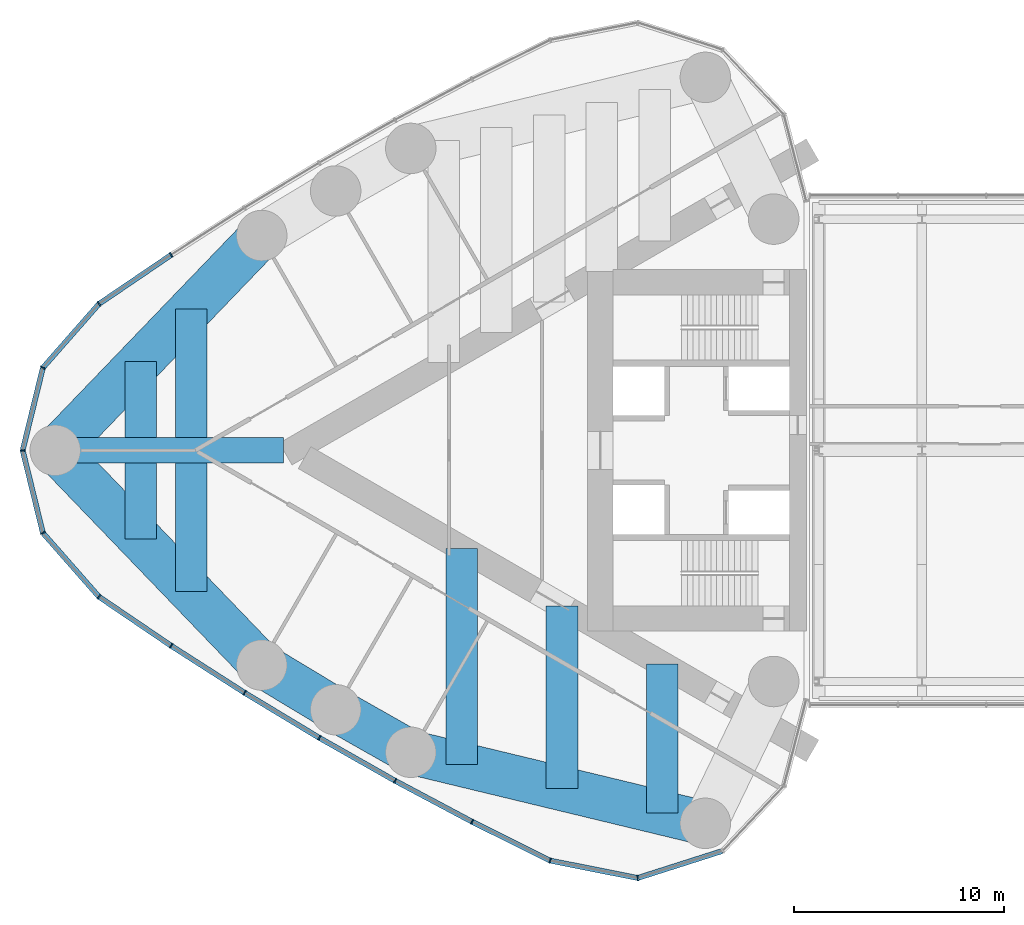
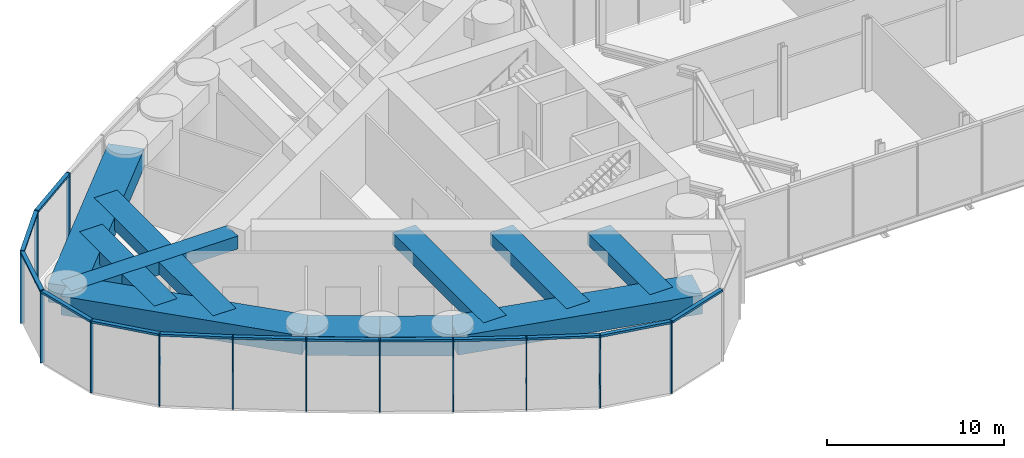
# One storey, part 3 of 19: 26 members, 13 beams, 1 element without a shape of its own.
"""IFC4 building model written with IfcOpenShell, lengths in metres."""

from ifc_helpers import new_model, si_unit, direction, frame, origin, origin_2d, place, context, subcontext, project, spatial, rectangle, extrude, material, material_profile, profile_set, type_object, element, aggregate, save


model = new_model("IFC4")

# Units and contexts
model_context = context("Model", 3, precision=1e-05, world=origin(), true_north=direction((0.0, 1.0)))
body_context = subcontext(model_context, "Body", "Model", "MODEL_VIEW")
ifc_project = project(units=[si_unit("LENGTHUNIT", "METRE"), si_unit("AREAUNIT", "SQUARE_METRE"), si_unit("VOLUMEUNIT", "CUBIC_METRE"), si_unit("PLANEANGLEUNIT", "RADIAN"), si_unit("MASSUNIT", "GRAM", prefix="KILO")], contexts=[model_context])

# Site, building, storey
site_placement = place(None, origin())
site = spatial("IfcSite", under=ifc_project, at=site_placement, CompositionType="ELEMENT")
building_placement = place(site_placement, origin())
building = spatial("IfcBuilding", under=site, at=building_placement, Name="Lancet Gate Hotel", CompositionType="ELEMENT")
storey_placement = place(building_placement, frame((0.0, 0.0, 263.300048828125)))
storey = spatial("IfcBuildingStorey", under=building, at=storey_placement, Name="L69", CompositionType="ELEMENT", Elevation=263.300048828125)

# Curtain wall, members
ifc_material_1 = material(Name="Aluminium curtain wall", Category="aluminium")
curtain_wall_type = type_object("IfcCurtainWallType", Name="Lantern crown glazing", PredefinedType="USERDEFINED", material=ifc_material_1)
curtain_wall_placement = place(storey_placement, origin())
curtain_wall = element("IfcCurtainWall", 1, at=curtain_wall_placement, inside=storey, type_object=curtain_wall_type, Name="T1 L69 curtain wall 1", ObjectType="LANTERN GLAZING", PredefinedType="USERDEFINED")
ifc_material_2 = material(Name="Aluminium mullion", Category="aluminium")
ifc_material_profile_1 = material_profile(ifc_material_2, rectangle(XDim=0.06494140625, YDim=0.25, at=origin_2d()), Name="MULLION 65x250")
ifc_profile_set_1 = profile_set([ifc_material_profile_1], Name="Aluminium mullion")
member_type_1 = type_object("IfcMemberType", Name="Aluminium mullion 65x250", PredefinedType="MULLION", material=ifc_profile_set_1)
member_1_placement = place(storey_placement, frame((-57.72021484375, 9.298095703125, 0.0), z_axis=(0.0, 0.0, 1.0), x_axis=(-0.834827178542, -0.550512108829, 0.0)))
member_1 = element("IfcMember", 2, at=member_1_placement, type_object=member_type_1, Name="T1 L69 curtain wall 1 mullion 10", PredefinedType="MULLION", context=body_context, shape_type="SweptSolid", body=[
    extrude(rectangle(XDim=0.06494140625, YDim=0.25, at=origin_2d()), origin(), (0.0, 0.0, 1.0), 5.0),
])
member_2_placement = place(storey_placement, frame((-61.15283203125, 6.967529296875, 0.0), z_axis=(0.0, 0.0, 1.0), x_axis=(-0.750715604757, -0.660625522345, 0.0)))
member_2 = element("IfcMember", 3, at=member_2_placement, type_object=member_type_1, Name="T1 L69 curtain wall 1 mullion 11", PredefinedType="MULLION", context=body_context, shape_type="SweptSolid", body=[
    extrude(rectangle(XDim=0.06494140625, YDim=0.25, at=origin_2d()), origin(), (0.0, 0.0, 1.0), 5.0),
])
member_3_placement = place(storey_placement, frame((-63.822021484375, 3.928466796875, 0.0), z_axis=(0.0, 0.0, 1.0), x_axis=(-0.46217799743, -0.886787177789, 0.0)))
member_3 = element("IfcMember", 4, at=member_3_placement, type_object=member_type_1, Name="T1 L69 curtain wall 1 mullion 12", PredefinedType="MULLION", context=body_context, shape_type="SweptSolid", body=[
    extrude(rectangle(XDim=0.06494140625, YDim=0.25, at=origin_2d()), origin(), (0.0, 0.0, 1.0), 5.0),
])
member_4_placement = place(storey_placement, frame((-64.7841796875, 0.0, 0.0), z_axis=(0.0, 0.0, 1.0), x_axis=(0.0, -1.0, 0.0)))
member_4 = element("IfcMember", 5, at=member_4_placement, type_object=member_type_1, Name="T1 L69 curtain wall 1 mullion 13", PredefinedType="MULLION", context=body_context, shape_type="SweptSolid", body=[
    extrude(rectangle(XDim=0.06494140625, YDim=0.25, at=origin_2d()), origin(), (0.0, 0.0, 1.0), 5.0),
])
member_5_placement = place(storey_placement, frame((-63.822021484375, -3.928466796875, 0.0), z_axis=(0.0, 0.0, 1.0), x_axis=(0.46217799743, -0.886787177789, 0.0)))
member_5 = element("IfcMember", 6, at=member_5_placement, type_object=member_type_1, Name="T1 L69 curtain wall 1 mullion 14", PredefinedType="MULLION", context=body_context, shape_type="SweptSolid", body=[
    extrude(rectangle(XDim=0.06494140625, YDim=0.25, at=origin_2d()), origin(), (0.0, 0.0, 1.0), 5.0),
])
member_6_placement = place(storey_placement, frame((-61.15283203125, -6.967529296875, 0.0), z_axis=(0.0, 0.0, 1.0), x_axis=(0.750715604757, -0.660625522345, 0.0)))
member_6 = element("IfcMember", 7, at=member_6_placement, type_object=member_type_1, Name="T1 L69 curtain wall 1 mullion 15", PredefinedType="MULLION", context=body_context, shape_type="SweptSolid", body=[
    extrude(rectangle(XDim=0.06494140625, YDim=0.25, at=origin_2d()), origin(), (0.0, 0.0, 1.0), 5.0),
])
member_7_placement = place(storey_placement, frame((-57.72021484375, -9.298095703125, 0.0), z_axis=(0.0, 0.0, 1.0), x_axis=(0.834827178542, -0.550512108829, 0.0)))
member_7 = element("IfcMember", 8, at=member_7_placement, type_object=member_type_1, Name="T1 L69 curtain wall 1 mullion 16", PredefinedType="MULLION", context=body_context, shape_type="SweptSolid", body=[
    extrude(rectangle(XDim=0.06494140625, YDim=0.25, at=origin_2d()), origin(), (0.0, 0.0, 1.0), 5.0),
])
member_8_placement = place(storey_placement, frame((-54.225830078125, -11.535400390625, 0.0), z_axis=(0.0, 0.0, 1.0), x_axis=(0.849342388216, -0.527842313176, 0.0)))
member_8 = element("IfcMember", 9, at=member_8_placement, type_object=member_type_1, Name="T1 L69 curtain wall 1 mullion 17", PredefinedType="MULLION", context=body_context, shape_type="SweptSolid", body=[
    extrude(rectangle(XDim=0.06494140625, YDim=0.25, at=origin_2d()), origin(), (0.0, 0.0, 1.0), 5.0),
])
member_9_placement = place(storey_placement, frame((-50.67236328125, -13.677978515625, 0.0), z_axis=(0.0, 0.0, 1.0), x_axis=(0.863242155108, -0.504790037189, 0.0)))
member_9 = element("IfcMember", 10, at=member_9_placement, type_object=member_type_1, Name="T1 L69 curtain wall 1 mullion 18", PredefinedType="MULLION", context=body_context, shape_type="SweptSolid", body=[
    extrude(rectangle(XDim=0.06494140625, YDim=0.25, at=origin_2d()), origin(), (0.0, 0.0, 1.0), 5.0),
])
member_10_placement = place(storey_placement, frame((-47.062744140625, -15.72412109375, 0.0), z_axis=(0.0, 0.0, 1.0), x_axis=(0.876516407283, -0.481371984815, 0.0)))
member_10 = element("IfcMember", 11, at=member_10_placement, type_object=member_type_1, Name="T1 L69 curtain wall 1 mullion 19", PredefinedType="MULLION", context=body_context, shape_type="SweptSolid", body=[
    extrude(rectangle(XDim=0.06494140625, YDim=0.25, at=origin_2d()), origin(), (0.0, 0.0, 1.0), 5.0),
])
member_11_placement = place(storey_placement, frame((-43.3994140625, -17.67236328125, 0.0), z_axis=(0.0, 0.0, 1.0), x_axis=(0.889155526065, -0.457605125046, 0.0)))
member_11 = element("IfcMember", 12, at=member_11_placement, type_object=member_type_1, Name="T1 L69 curtain wall 1 mullion 20", PredefinedType="MULLION", context=body_context, shape_type="SweptSolid", body=[
    extrude(rectangle(XDim=0.06494140625, YDim=0.25, at=origin_2d()), origin(), (0.0, 0.0, 1.0), 5.0),
])
member_12_placement = place(storey_placement, frame((-39.684814453125, -19.521240234375, 0.0), z_axis=(0.0, 0.0, 1.0), x_axis=(0.946887706423, -0.321564412561, 0.0)))
member_12 = element("IfcMember", 13, at=member_12_placement, type_object=member_type_1, Name="T1 L69 curtain wall 1 mullion 21", PredefinedType="MULLION", context=body_context, shape_type="SweptSolid", body=[
    extrude(rectangle(XDim=0.06494140625, YDim=0.25, at=origin_2d()), origin(), (0.0, 0.0, 1.0), 5.0),
])
member_13_placement = place(storey_placement, frame((-35.520751953125, -20.347900390625, 0.0), z_axis=(0.0, 0.0, 1.0), x_axis=(0.998409168318, 0.056383797491, 0.0)))
member_13 = element("IfcMember", 14, at=member_13_placement, type_object=member_type_1, Name="T1 L69 curtain wall 1 mullion 22", PredefinedType="MULLION", context=body_context, shape_type="SweptSolid", body=[
    extrude(rectangle(XDim=0.06494140625, YDim=0.25, at=origin_2d()), origin(), (0.0, 0.0, 1.0), 5.0),
])
ifc_material_3 = material(Name="Aluminium transom", Category="aluminium")
ifc_material_profile_2 = material_profile(ifc_material_3, rectangle(XDim=0.25, YDim=0.14990234375, at=origin_2d()), Name="TRANSOM 250x150")
ifc_profile_set_2 = profile_set([ifc_material_profile_2], Name="Aluminium transom")
member_type_2 = type_object("IfcMemberType", Name="Aluminium transom 250x150", PredefinedType="USERDEFINED", material=ifc_profile_set_2)
member_14_placement = place(storey_placement, frame((-57.7470703125, 9.27978515625, 4.925048828125), z_axis=(-0.827348780456, -0.561688521761, 0.0), x_axis=(0.561688521761, -0.827348780456, 0.0)))
member_14 = element("IfcMember", 15, at=member_14_placement, type_object=member_type_2, Name="T1 L69 curtain wall 1 transom 10", ObjectType="TRANSOM", PredefinedType="USERDEFINED", context=body_context, shape_type="SweptSolid", body=[
    extrude(rectangle(XDim=0.25, YDim=0.14990234375, at=origin_2d()), origin(), (0.0, 0.0, 1.0), 4.083984375),
])
member_15_placement = place(storey_placement, frame((-61.17431640625, 6.943115234375, 4.925048828125), z_axis=(-0.659893258593, -0.751359359603, 0.0), x_axis=(0.751359359603, -0.659893258593, 0.0)))
member_15 = element("IfcMember", 16, at=member_15_placement, type_object=member_type_2, Name="T1 L69 curtain wall 1 transom 11", ObjectType="TRANSOM", PredefinedType="USERDEFINED", context=body_context, shape_type="SweptSolid", body=[
    extrude(rectangle(XDim=0.25, YDim=0.14990234375, at=origin_2d()), origin(), (0.0, 0.0, 1.0), 3.979736328125),
])
member_16_placement = place(storey_placement, frame((-63.829833984375, 3.89697265625, 4.925048828125), z_axis=(-0.237899438372, -0.971289790548, 0.0), x_axis=(0.971289790548, -0.237899438372, 0.0)))
member_16 = element("IfcMember", 17, at=member_16_placement, type_object=member_type_2, Name="T1 L69 curtain wall 1 transom 12", ObjectType="TRANSOM", PredefinedType="USERDEFINED", context=body_context, shape_type="SweptSolid", body=[
    extrude(rectangle(XDim=0.25, YDim=0.14990234375, at=origin_2d()), origin(), (0.0, 0.0, 1.0), 3.979736328125),
])
member_17_placement = place(storey_placement, frame((-64.776611328125, -0.031494140625, 4.925048828125), z_axis=(0.237899438372, -0.971289790548, 0.0), x_axis=(0.971289790548, 0.237899438372, 0.0)))
member_17 = element("IfcMember", 18, at=member_17_placement, type_object=member_type_2, Name="T1 L69 curtain wall 1 transom 13", ObjectType="TRANSOM", PredefinedType="USERDEFINED", context=body_context, shape_type="SweptSolid", body=[
    extrude(rectangle(XDim=0.25, YDim=0.14990234375, at=origin_2d()), origin(), (0.0, 0.0, 1.0), 3.979736328125),
])
member_18_placement = place(storey_placement, frame((-63.800537109375, -3.952880859375, 4.925048828125), z_axis=(0.659893258593, -0.751359359603, 0.0), x_axis=(0.751359359603, 0.659893258593, 0.0)))
member_18 = element("IfcMember", 19, at=member_18_placement, type_object=member_type_2, Name="T1 L69 curtain wall 1 transom 14", ObjectType="TRANSOM", PredefinedType="USERDEFINED", context=body_context, shape_type="SweptSolid", body=[
    extrude(rectangle(XDim=0.25, YDim=0.14990234375, at=origin_2d()), origin(), (0.0, 0.0, 1.0), 3.979736328125),
])
member_19_placement = place(storey_placement, frame((-61.1259765625, -6.98583984375, 4.925048828125), z_axis=(0.827348780456, -0.561688521761, 0.0), x_axis=(0.561688521761, 0.827348780456, 0.0)))
member_19 = element("IfcMember", 20, at=member_19_placement, type_object=member_type_2, Name="T1 L69 curtain wall 1 transom 15", ObjectType="TRANSOM", PredefinedType="USERDEFINED", context=body_context, shape_type="SweptSolid", body=[
    extrude(rectangle(XDim=0.25, YDim=0.14990234375, at=origin_2d()), origin(), (0.0, 0.0, 1.0), 4.083984375),
])
member_20_placement = place(storey_placement, frame((-57.692626953125, -9.315673828125, 4.925048828125), z_axis=(0.842144358733, -0.539252147937, 0.0), x_axis=(0.539252147937, 0.842144358733, 0.0)))
member_20 = element("IfcMember", 21, at=member_20_placement, type_object=member_type_2, Name="T1 L69 curtain wall 1 transom 16", ObjectType="TRANSOM", PredefinedType="USERDEFINED", context=body_context, shape_type="SweptSolid", body=[
    extrude(rectangle(XDim=0.25, YDim=0.14990234375, at=origin_2d()), origin(), (0.0, 0.0, 1.0), 4.084228515625),
])
member_21_placement = place(storey_placement, frame((-54.197998046875, -11.55224609375, 4.925048828125), z_axis=(0.856362214892, -0.516375596737, 0.0), x_axis=(0.516375596737, 0.856362214892, 0.0)))
member_21 = element("IfcMember", 22, at=member_21_placement, type_object=member_type_2, Name="T1 L69 curtain wall 1 transom 17", ObjectType="TRANSOM", PredefinedType="USERDEFINED", context=body_context, shape_type="SweptSolid", body=[
    extrude(rectangle(XDim=0.25, YDim=0.14990234375, at=origin_2d()), origin(), (0.0, 0.0, 1.0), 4.08447265625),
])
member_22_placement = place(storey_placement, frame((-50.644287109375, -13.694091796875, 4.925048828125), z_axis=(0.869977740049, -0.493090997503, 0.0), x_axis=(0.493090997503, 0.869977740049, 0.0)))
member_22 = element("IfcMember", 23, at=member_22_placement, type_object=member_type_2, Name="T1 L69 curtain wall 1 transom 18", ObjectType="TRANSOM", PredefinedType="USERDEFINED", context=body_context, shape_type="SweptSolid", body=[
    extrude(rectangle(XDim=0.25, YDim=0.14990234375, at=origin_2d()), origin(), (0.0, 0.0, 1.0), 4.084228515625),
])
member_23_placement = place(storey_placement, frame((-47.0341796875, -15.739501953125, 4.925048828125), z_axis=(0.882944619844, -0.469477154171, 0.0), x_axis=(0.469477154171, 0.882944619844, 0.0)))
member_23 = element("IfcMember", 24, at=member_23_placement, type_object=member_type_2, Name="T1 L69 curtain wall 1 transom 19", ObjectType="TRANSOM", PredefinedType="USERDEFINED", context=body_context, shape_type="SweptSolid", body=[
    extrude(rectangle(XDim=0.25, YDim=0.14990234375, at=origin_2d()), origin(), (0.0, 0.0, 1.0), 4.084228515625),
])
member_24_placement = place(storey_placement, frame((-43.370361328125, -17.686767578125, 4.925048828125), z_axis=(0.895226720479, -0.445610950202, 0.0), x_axis=(0.445610950202, 0.895226720479, 0.0)))
member_24 = element("IfcMember", 25, at=member_24_placement, type_object=member_type_2, Name="T1 L69 curtain wall 1 transom 20", ObjectType="TRANSOM", PredefinedType="USERDEFINED", context=body_context, shape_type="SweptSolid", body=[
    extrude(rectangle(XDim=0.25, YDim=0.14990234375, at=origin_2d()), origin(), (0.0, 0.0, 1.0), 4.08447265625),
])
member_25_placement = place(storey_placement, frame((-39.65283203125, -19.527587890625, 4.925048828125), z_axis=(0.980858234867, -0.194723196085, 0.0), x_axis=(0.194723196085, 0.980858234867, 0.0)))
member_25 = element("IfcMember", 26, at=member_25_placement, type_object=member_type_2, Name="T1 L69 curtain wall 1 transom 21", ObjectType="TRANSOM", PredefinedType="USERDEFINED", context=body_context, shape_type="SweptSolid", body=[
    extrude(rectangle(XDim=0.25, YDim=0.14990234375, at=origin_2d()), origin(), (0.0, 0.0, 1.0), 4.18017578125),
])
member_26_placement = place(storey_placement, frame((-35.48974609375, -20.338134765625, 4.925048828125), z_axis=(0.952697713775, 0.303919506068, 0.0), x_axis=(-0.303919506068, 0.952697713775, 0.0)))
member_26 = element("IfcMember", 27, at=member_26_placement, type_object=member_type_2, Name="T1 L69 curtain wall 1 transom 22", ObjectType="TRANSOM", PredefinedType="USERDEFINED", context=body_context, shape_type="SweptSolid", body=[
    extrude(rectangle(XDim=0.25, YDim=0.14990234375, at=origin_2d()), origin(), (0.0, 0.0, 1.0), 4.180419921875),
])
aggregate(curtain_wall, [member_1, member_2, member_3, member_4, member_5, member_6, member_7, member_8, member_9, member_10, member_11, member_12, member_13, member_14, member_15, member_16, member_17, member_18, member_19, member_20, member_21, member_22, member_23, member_24, member_25, member_26])

# Beams
ifc_material_4 = material(Name="Concrete C50/60", Category="concrete")
ifc_material_profile_3 = material_profile(ifc_material_4, rectangle(XDim=2.10009765625, YDim=1.300048828125, at=origin_2d()), Name="RC 2100x1300")
ifc_profile_set_3 = profile_set([ifc_material_profile_3], Name="Concrete C50/60")
beam_type_1 = type_object("IfcBeamType", Name="Edge beam RC 2100x1300", PredefinedType="SPANDREL", material=ifc_profile_set_3)
for number, where, z_axis, x_axis, name in (
    (28, (-53.40771484375, 10.218994140625, 4.099853515625), (-0.693134527053, -0.720808245934, 0.0), (0.720808245934, -0.693134527053, 0.0), "T1 edge beam EB1 L69"),
    (29, (-63.234375, 0.0, 4.099853515625), (0.693134527053, -0.720808245934, 0.0), (0.720808245934, 0.693134527053, 0.0), "T1 edge beam EB1 L69"),
):
    element("IfcBeam", number, at=place(storey_placement, frame(where, z_axis=z_axis, x_axis=x_axis)), inside=storey, type_object=beam_type_1, Name=name, PredefinedType="SPANDREL", context=body_context, shape_type="SweptSolid", body=[
        extrude(rectangle(XDim=2.10009765625, YDim=1.300048828125, at=origin_2d()), origin(), (0.0, 0.0, 1.0), 14.17724609375),
    ])
for number, where, z_axis, x_axis, name in (
    (30, (-53.40771484375, -10.218994140625, 4.099853515625), (0.856358061538, -0.516382484636, 0.0), (0.516382484636, 0.856358061538, 0.0), "T1 edge beam EB1 L69"),
    (31, (-49.89013671875, -12.340087890625, 4.099853515625), (0.869978841992, -0.493089053301, 0.0), (0.493089053301, 0.869978841992, 0.0), "T1 edge beam EB1 L69"),
):
    element("IfcBeam", number, at=place(storey_placement, frame(where, z_axis=z_axis, x_axis=x_axis)), inside=storey, type_object=beam_type_1, Name=name, PredefinedType="SPANDREL", context=body_context, shape_type="SweptSolid", body=[
        extrude(rectangle(XDim=2.10009765625, YDim=1.300048828125, at=origin_2d()), origin(), (0.0, 0.0, 1.0), 4.107666015625),
    ])
beam_1_placement = place(storey_placement, frame((-46.316650390625, -14.365478515625, 4.099853515625), z_axis=(0.972132796948, -0.234430853556, 0.0), x_axis=(0.234430853556, 0.972132796948, 0.0)))
element("IfcBeam", 32, at=beam_1_placement, inside=storey, type_object=beam_type_1, Name="T1 edge beam EB1 L69", PredefinedType="SPANDREL", context=body_context, shape_type="SweptSolid", body=[
    extrude(rectangle(XDim=2.10009765625, YDim=1.300048828125, at=origin_2d()), origin(), (0.0, 0.0, 1.0), 14.41748046875),
])
ifc_material_5 = material(Name="Concrete C50/60", Category="concrete")
ifc_material_profile_4 = material_profile(ifc_material_5, rectangle(XDim=1.5, YDim=0.85009765625, at=origin_2d()), Name="RC 1500x850")
ifc_profile_set_4 = profile_set([ifc_material_profile_4], Name="Concrete C50/60")
beam_type_2 = type_object("IfcBeamType", Name="Floor beam RC 1500x850", PredefinedType="BEAM", material=ifc_profile_set_4)
beam_2_placement = place(storey_placement, frame((-34.353515625, -10.169921875, 4.324951171875), z_axis=(0.0, -1.0, 0.0), x_axis=(1.0, 0.0, 0.0)))
element("IfcBeam", 33, at=beam_2_placement, inside=storey, type_object=beam_type_2, Name="T1 floor beam F01N L69", PredefinedType="BEAM", context=body_context, shape_type="SweptSolid", body=[
    extrude(rectangle(XDim=1.5, YDim=0.85009765625, at=origin_2d()), origin(), (0.0, 0.0, 1.0), 7.08056640625),
])
beam_3_placement = place(storey_placement, frame((-39.122314453125, -7.41650390625, 4.324951171875), z_axis=(0.0, -1.0, 0.0), x_axis=(1.0, 0.0, 0.0)))
element("IfcBeam", 34, at=beam_3_placement, inside=storey, type_object=beam_type_2, Name="T1 floor beam F04N L69", PredefinedType="BEAM", context=body_context, shape_type="SweptSolid", body=[
    extrude(rectangle(XDim=1.5, YDim=0.85009765625, at=origin_2d()), origin(), (0.0, 0.0, 1.0), 8.683837890625),
])
beam_4_placement = place(storey_placement, frame((-43.891357421875, -4.663330078125, 4.324951171875), z_axis=(0.0, -1.0, 0.0), x_axis=(1.0, 0.0, 0.0)))
element("IfcBeam", 35, at=beam_4_placement, inside=storey, type_object=beam_type_2, Name="T1 floor beam F07N L69", PredefinedType="BEAM", context=body_context, shape_type="SweptSolid", body=[
    extrude(rectangle(XDim=1.5, YDim=0.85009765625, at=origin_2d()), origin(), (0.0, 0.0, 1.0), 10.287109375),
])
for number, where, z_axis, x_axis, name in (
    (36, (-56.768310546875, 6.72412109375, 4.324951171875), (0.0, -1.0, 0.0), (1.0, 0.0, 0.0), "T1 floor beam F09S L69"),
    (37, (-56.768310546875, -0.60009765625, 4.324951171875), (0.0, -1.0, 0.0), (1.0, 0.0, 0.0), "T1 floor beam F10N L69"),
):
    element("IfcBeam", number, at=place(storey_placement, frame(where, z_axis=z_axis, x_axis=x_axis)), inside=storey, type_object=beam_type_2, Name=name, PredefinedType="BEAM", context=body_context, shape_type="SweptSolid", body=[
        extrude(rectangle(XDim=1.5, YDim=0.85009765625, at=origin_2d()), origin(), (0.0, 0.0, 1.0), 6.1240234375),
    ])
for number, where, z_axis, x_axis, name in (
    (38, (-59.168212890625, 4.228271484375, 4.324951171875), (0.0, -1.0, 0.0), (1.0, 0.0, 0.0), "T1 floor beam F11S L69"),
    (39, (-59.168212890625, -0.60009765625, 4.324951171875), (0.0, -1.0, 0.0), (1.0, 0.0, 0.0), "T1 floor beam F12N L69"),
):
    element("IfcBeam", number, at=place(storey_placement, frame(where, z_axis=z_axis, x_axis=x_axis)), inside=storey, type_object=beam_type_2, Name=name, PredefinedType="BEAM", context=body_context, shape_type="SweptSolid", body=[
        extrude(rectangle(XDim=1.5, YDim=0.85009765625, at=origin_2d()), origin(), (0.0, 0.0, 1.0), 3.628173828125),
    ])
ifc_material_6 = material(Name="Concrete C50/60", Category="concrete")
ifc_material_profile_5 = material_profile(ifc_material_6, rectangle(XDim=1.199951171875, YDim=0.89990234375, at=origin_2d()), Name="RC 1200x900")
ifc_profile_set_5 = profile_set([ifc_material_profile_5], Name="Concrete C50/60")
beam_type_3 = type_object("IfcBeamType", Name="Radial floor beam RC 1200x900", PredefinedType="BEAM", material=ifc_profile_set_5)
beam_5_placement = place(storey_placement, frame((-63.234375, 0.0, 4.300048828125), z_axis=(1.0, 0.0, 0.0), x_axis=(0.0, 1.0, 0.0)))
element("IfcBeam", 40, at=beam_5_placement, inside=storey, type_object=beam_type_3, Name="T1 radial beam CA L69", PredefinedType="BEAM", context=body_context, shape_type="SweptSolid", body=[
    extrude(rectangle(XDim=1.199951171875, YDim=0.89990234375, at=origin_2d()), origin(), (0.0, 0.0, 1.0), 10.8662109375),
])

save(model, "model.ifc")
